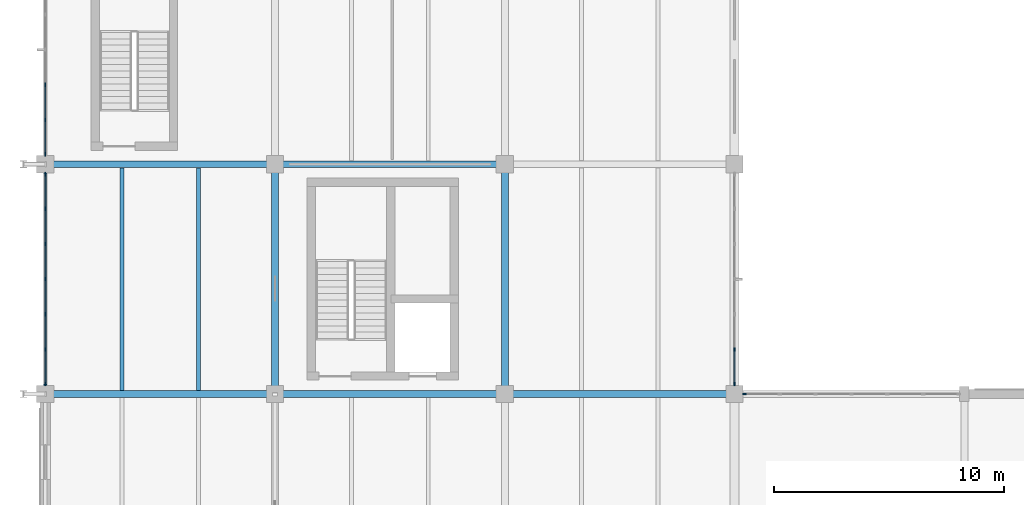
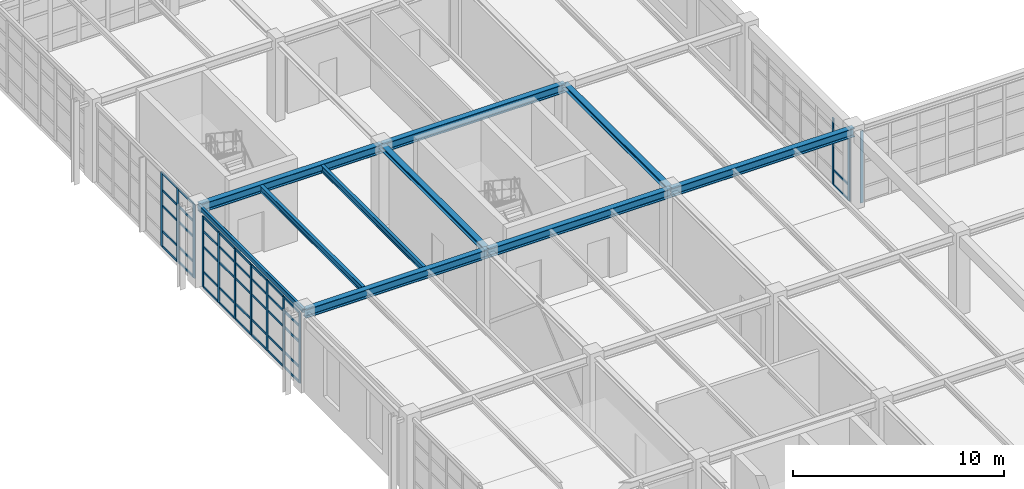
# One storey, part 33 of 139: 55 members, 10 beams, 4 elements without a shape of their own.
"""IFC4 building model written with IfcOpenShell, lengths in metres."""

from ifc_helpers import new_model, si_unit, direction, frame, origin, origin_2d, place, context, subcontext, project, spatial, rectangle, hollow_rectangle, i_section, extrude, material, layer, layer_set, material_profile, profile_set, type_object, element, aggregate, save


model = new_model("IFC4")

# Units and contexts
model_context = context("Model", 3, precision=1e-05, world=origin(), true_north=direction((0.0, 1.0)))
body_context = subcontext(model_context, "Body", "Model", "MODEL_VIEW")
ifc_project = project(units=[si_unit("LENGTHUNIT", "METRE"), si_unit("AREAUNIT", "SQUARE_METRE"), si_unit("VOLUMEUNIT", "CUBIC_METRE"), si_unit("PLANEANGLEUNIT", "RADIAN"), si_unit("MASSUNIT", "GRAM", prefix="KILO"), si_unit("THERMODYNAMICTEMPERATUREUNIT", "KELVIN"), si_unit("POWERUNIT", "WATT")], contexts=[model_context])

# Site, building, storey
site_placement = place(None, origin())
site = spatial("IfcSite", under=ifc_project, at=site_placement, CompositionType="ELEMENT")
building_placement = place(site_placement, origin())
building = spatial("IfcBuilding", under=site, at=building_placement, Name="Korenveer Ferry Terminal", CompositionType="ELEMENT")
storey_placement = place(building_placement, frame((0.0, 0.0, 5.39990234375)))
storey = spatial("IfcBuildingStorey", under=building, at=storey_placement, Name="L01", CompositionType="ELEMENT", Elevation=5.39990234375)

# Curtain wall, member
ifc_material_1 = material(Name="Unitised bronze-and-glass curtain wall", Category="glass")
ifc_layer_1 = layer(ifc_material_1, 0.159912109375)
ifc_layer_set_1 = layer_set([ifc_layer_1], Name="Unitised bronze-and-glass curtain wall")
curtain_wall_type_1 = type_object("IfcCurtainWallType", Name="ENV-CW-43", PredefinedType="USERDEFINED", material=ifc_layer_set_1)
curtain_wall_1_placement = place(storey_placement, frame((30.405029296875, 50.0, 0.0)))
curtain_wall_1 = element("IfcCurtainWall", 1, at=curtain_wall_1_placement, inside=storey, type_object=curtain_wall_type_1, Name="Lancet curtain wall CWX-L01-X30-40-Y50-50", ObjectType="UNITISED CURTAIN WALL", PredefinedType="USERDEFINED")
ifc_material_2 = material(Name="Anodised bronze aluminium", Category="aluminium")
ifc_material_profile_1 = material_profile(ifc_material_2, rectangle(XDim=0.06005859375, YDim=0.159912109375, at=origin_2d()), Name="ALU 60x160")
ifc_profile_set_1 = profile_set([ifc_material_profile_1], Name="Anodised bronze aluminium")
member_type_1 = type_object("IfcMemberType", Name="ENV-CWM-60X160", PredefinedType="MULLION", material=ifc_profile_set_1)
member_1_placement = place(storey_placement, frame((30.43505859375, 50.0, 0.0), z_axis=(0.0, 0.0, 1.0), x_axis=(0.0, 1.0, 0.0)))
member_1 = element("IfcMember", 2, at=member_1_placement, type_object=member_type_1, Name="CW-43 mullion 1", PredefinedType="MULLION", context=body_context, shape_type="SweptSolid", body=[
    extrude(rectangle(XDim=0.06005859375, YDim=0.159912109375, at=origin_2d()), origin(), (0.0, 0.0, 1.0), 4.16015625),
])
aggregate(curtain_wall_1, [member_1])

# Curtain wall, members
ifc_layer_2 = layer(ifc_material_1, 0.159912109375)
ifc_layer_set_2 = layer_set([ifc_layer_2], Name="Unitised bronze-and-glass curtain wall")
curtain_wall_type_2 = type_object("IfcCurtainWallType", Name="ENV-CW-58", PredefinedType="USERDEFINED", material=ifc_layer_set_2)
curtain_wall_2_placement = place(storey_placement, frame((0.0, 50.405029296875, 0.0)))
curtain_wall_2 = element("IfcCurtainWall", 3, at=curtain_wall_2_placement, inside=storey, type_object=curtain_wall_type_2, Name="Lancet curtain wall CWX-L01-X0-0-Y50-60", ObjectType="UNITISED CURTAIN WALL", PredefinedType="USERDEFINED")
member_2_placement = place(storey_placement, frame((0.0, 50.43505859375, 0.0), z_axis=(0.0, 0.0, 1.0), x_axis=(-1.0, 0.0, 0.0)))
member_2 = element("IfcMember", 4, at=member_2_placement, type_object=member_type_1, Name="CW-58 mullion 1", PredefinedType="MULLION", context=body_context, shape_type="SweptSolid", body=[
    extrude(rectangle(XDim=0.06005859375, YDim=0.159912109375, at=origin_2d()), origin(), (0.0, 0.0, 1.0), 4.070068359375),
])
member_3_placement = place(storey_placement, frame((0.0, 51.936767578125, 0.0), z_axis=(0.0, 0.0, 1.0), x_axis=(-1.0, 0.0, 0.0)))
member_3 = element("IfcMember", 5, at=member_3_placement, type_object=member_type_1, Name="CW-58 mullion 2", PredefinedType="MULLION", context=body_context, shape_type="SweptSolid", body=[
    extrude(rectangle(XDim=0.06005859375, YDim=0.159912109375, at=origin_2d()), origin(), (0.0, 0.0, 1.0), 4.070068359375),
])
member_4_placement = place(storey_placement, frame((0.0, 53.46826171875, 0.0), z_axis=(0.0, 0.0, 1.0), x_axis=(-1.0, 0.0, 0.0)))
member_4 = element("IfcMember", 6, at=member_4_placement, type_object=member_type_1, Name="CW-58 mullion 3", PredefinedType="MULLION", context=body_context, shape_type="SweptSolid", body=[
    extrude(rectangle(XDim=0.06005859375, YDim=0.159912109375, at=origin_2d()), origin(), (0.0, 0.0, 1.0), 4.070068359375),
])
member_5_placement = place(storey_placement, frame((0.0, 55.0, 0.0), z_axis=(0.0, 0.0, 1.0), x_axis=(-1.0, 0.0, 0.0)))
member_5 = element("IfcMember", 7, at=member_5_placement, type_object=member_type_1, Name="CW-58 mullion 4", PredefinedType="MULLION", context=body_context, shape_type="SweptSolid", body=[
    extrude(rectangle(XDim=0.06005859375, YDim=0.159912109375, at=origin_2d()), origin(), (0.0, 0.0, 1.0), 4.070068359375),
])
member_6_placement = place(storey_placement, frame((0.0, 56.53173828125, 0.0), z_axis=(0.0, 0.0, 1.0), x_axis=(-1.0, 0.0, 0.0)))
member_6 = element("IfcMember", 8, at=member_6_placement, type_object=member_type_1, Name="CW-58 mullion 5", PredefinedType="MULLION", context=body_context, shape_type="SweptSolid", body=[
    extrude(rectangle(XDim=0.06005859375, YDim=0.159912109375, at=origin_2d()), origin(), (0.0, 0.0, 1.0), 4.070068359375),
])
member_7_placement = place(storey_placement, frame((0.0, 58.063232421875, 0.0), z_axis=(0.0, 0.0, 1.0), x_axis=(-1.0, 0.0, 0.0)))
member_7 = element("IfcMember", 9, at=member_7_placement, type_object=member_type_1, Name="CW-58 mullion 6", PredefinedType="MULLION", context=body_context, shape_type="SweptSolid", body=[
    extrude(rectangle(XDim=0.06005859375, YDim=0.159912109375, at=origin_2d()), origin(), (0.0, 0.0, 1.0), 4.070068359375),
])
member_8_placement = place(storey_placement, frame((0.0, 59.56494140625, 0.0), z_axis=(0.0, 0.0, 1.0), x_axis=(-1.0, 0.0, 0.0)))
member_8 = element("IfcMember", 10, at=member_8_placement, type_object=member_type_1, Name="CW-58 mullion 7", PredefinedType="MULLION", context=body_context, shape_type="SweptSolid", body=[
    extrude(rectangle(XDim=0.06005859375, YDim=0.159912109375, at=origin_2d()), origin(), (0.0, 0.0, 1.0), 4.070068359375),
])

ifc_layer_3 = layer(ifc_material_1, 0.159912109375)
ifc_layer_set_3 = layer_set([ifc_layer_3], Name="Unitised bronze-and-glass curtain wall")
curtain_wall_type_3 = type_object("IfcCurtainWallType", Name="ENV-CW-60", PredefinedType="USERDEFINED", material=ifc_layer_set_3)
curtain_wall_3_placement = place(storey_placement, frame((0.0, 60.405029296875, 0.0)))
curtain_wall_3 = element("IfcCurtainWall", 11, at=curtain_wall_3_placement, inside=storey, type_object=curtain_wall_type_3, Name="Lancet curtain wall CWX-L01-X0-0-Y60-70", ObjectType="UNITISED CURTAIN WALL", PredefinedType="USERDEFINED")
member_9_placement = place(storey_placement, frame((0.0, 60.43505859375, 0.0), z_axis=(0.0, 0.0, 1.0), x_axis=(-1.0, 0.0, 0.0)))
member_9 = element("IfcMember", 12, at=member_9_placement, type_object=member_type_1, Name="CW-60 mullion 1", PredefinedType="MULLION", context=body_context, shape_type="SweptSolid", body=[
    extrude(rectangle(XDim=0.06005859375, YDim=0.159912109375, at=origin_2d()), origin(), (0.0, 0.0, 1.0), 4.27001953125),
])
member_10_placement = place(storey_placement, frame((0.0, 61.9326171875, 0.0), z_axis=(0.0, 0.0, 1.0), x_axis=(-1.0, 0.0, 0.0)))
member_10 = element("IfcMember", 13, at=member_10_placement, type_object=member_type_1, Name="CW-60 mullion 2", PredefinedType="MULLION", context=body_context, shape_type="SweptSolid", body=[
    extrude(rectangle(XDim=0.06005859375, YDim=0.159912109375, at=origin_2d()), origin(), (0.0, 0.0, 1.0), 4.27001953125),
])
member_11_placement = place(storey_placement, frame((0.0, 63.4599609375, 0.0), z_axis=(0.0, 0.0, 1.0), x_axis=(-1.0, 0.0, 0.0)))
member_11 = element("IfcMember", 14, at=member_11_placement, type_object=member_type_1, Name="CW-60 mullion 3", PredefinedType="MULLION", context=body_context, shape_type="SweptSolid", body=[
    extrude(rectangle(XDim=0.06005859375, YDim=0.159912109375, at=origin_2d()), origin(), (0.0, 0.0, 1.0), 4.27001953125),
])

ifc_layer_4 = layer(ifc_material_1, 0.159912109375)
ifc_layer_set_4 = layer_set([ifc_layer_4], Name="Unitised bronze-and-glass curtain wall")
curtain_wall_type_4 = type_object("IfcCurtainWallType", Name="ENV-CW-63", PredefinedType="USERDEFINED", material=ifc_layer_set_4)
curtain_wall_4_placement = place(storey_placement, frame((30.0, 59.594970703125, 0.0)))
curtain_wall_4 = element("IfcCurtainWall", 15, at=curtain_wall_4_placement, inside=storey, type_object=curtain_wall_type_4, Name="Lancet curtain wall CWX-L01-X30-30-Y50-60", ObjectType="UNITISED CURTAIN WALL", PredefinedType="USERDEFINED")
member_12_placement = place(storey_placement, frame((30.0, 51.936767578125, 0.0), z_axis=(0.0, 0.0, 1.0), x_axis=(1.0, 0.0, 0.0)))
member_12 = element("IfcMember", 16, at=member_12_placement, type_object=member_type_1, Name="CW-63 mullion 6", PredefinedType="MULLION", context=body_context, shape_type="SweptSolid", body=[
    extrude(rectangle(XDim=0.06005859375, YDim=0.159912109375, at=origin_2d()), origin(), (0.0, 0.0, 1.0), 3.8701171875),
])
member_13_placement = place(storey_placement, frame((30.0, 50.43505859375, 0.0), z_axis=(0.0, 0.0, 1.0), x_axis=(1.0, 0.0, 0.0)))
member_13 = element("IfcMember", 17, at=member_13_placement, type_object=member_type_1, Name="CW-63 mullion 7", PredefinedType="MULLION", context=body_context, shape_type="SweptSolid", body=[
    extrude(rectangle(XDim=0.06005859375, YDim=0.159912109375, at=origin_2d()), origin(), (0.0, 0.0, 1.0), 3.8701171875),
])

# Member
ifc_material_profile_2 = material_profile(ifc_material_2, rectangle(XDim=0.06005859375, YDim=0.1201171875, at=origin_2d()), Name="ALU 60x120")
ifc_profile_set_2 = profile_set([ifc_material_profile_2], Name="Anodised bronze aluminium")
member_type_2 = type_object("IfcMemberType", Name="ENV-CWT-60X120", PredefinedType="USERDEFINED", material=ifc_profile_set_2)
member_14_placement = place(storey_placement, frame((0.0, 50.465087890625, 0.030029296875), z_axis=(0.0, 1.0, 0.0), x_axis=(-1.0, 0.0, 0.0)))
member_14 = element("IfcMember", 18, at=member_14_placement, type_object=member_type_2, Name="CW-58 transom 1.1", ObjectType="TRANSOM", PredefinedType="USERDEFINED", context=body_context, shape_type="SweptSolid", body=[
    extrude(rectangle(XDim=0.06005859375, YDim=0.1201171875, at=origin_2d()), origin(), (0.0, 0.0, 1.0), 1.441650390625),
])

member_15_placement = place(storey_placement, frame((0.0, 50.465087890625, 0.900146484375), z_axis=(0.0, 1.0, 0.0), x_axis=(-1.0, 0.0, 0.0)))
member_15 = element("IfcMember", 19, at=member_15_placement, type_object=member_type_2, Name="CW-58 transom 1.2", ObjectType="TRANSOM", PredefinedType="USERDEFINED", context=body_context, shape_type="SweptSolid", body=[
    extrude(rectangle(XDim=0.06005859375, YDim=0.1201171875, at=origin_2d()), origin(), (0.0, 0.0, 1.0), 1.441650390625),
])

member_16_placement = place(storey_placement, frame((0.0, 50.465087890625, 2.35009765625), z_axis=(0.0, 1.0, 0.0), x_axis=(-1.0, 0.0, 0.0)))
member_16 = element("IfcMember", 20, at=member_16_placement, type_object=member_type_2, Name="CW-58 transom 1.3", ObjectType="TRANSOM", PredefinedType="USERDEFINED", context=body_context, shape_type="SweptSolid", body=[
    extrude(rectangle(XDim=0.06005859375, YDim=0.1201171875, at=origin_2d()), origin(), (0.0, 0.0, 1.0), 1.441650390625),
])

member_17_placement = place(storey_placement, frame((0.0, 50.465087890625, 3.25), z_axis=(0.0, 1.0, 0.0), x_axis=(-1.0, 0.0, 0.0)))
member_17 = element("IfcMember", 21, at=member_17_placement, type_object=member_type_2, Name="CW-58 transom 1.4", ObjectType="TRANSOM", PredefinedType="USERDEFINED", context=body_context, shape_type="SweptSolid", body=[
    extrude(rectangle(XDim=0.06005859375, YDim=0.1201171875, at=origin_2d()), origin(), (0.0, 0.0, 1.0), 1.441650390625),
])

member_18_placement = place(storey_placement, frame((0.0, 50.465087890625, 4.0400390625), z_axis=(0.0, 1.0, 0.0), x_axis=(-1.0, 0.0, 0.0)))
member_18 = element("IfcMember", 22, at=member_18_placement, type_object=member_type_2, Name="CW-58 transom 1.5", ObjectType="TRANSOM", PredefinedType="USERDEFINED", context=body_context, shape_type="SweptSolid", body=[
    extrude(rectangle(XDim=0.06005859375, YDim=0.1201171875, at=origin_2d()), origin(), (0.0, 0.0, 1.0), 1.441650390625),
])

member_19_placement = place(storey_placement, frame((0.0, 51.966552734375, 0.030029296875), z_axis=(0.0, 1.0, 0.0), x_axis=(-1.0, 0.0, 0.0)))
member_19 = element("IfcMember", 23, at=member_19_placement, type_object=member_type_2, Name="CW-58 transom 2.1", ObjectType="TRANSOM", PredefinedType="USERDEFINED", context=body_context, shape_type="SweptSolid", body=[
    extrude(rectangle(XDim=0.06005859375, YDim=0.1201171875, at=origin_2d()), origin(), (0.0, 0.0, 1.0), 1.4716796875),
])

member_20_placement = place(storey_placement, frame((0.0, 51.966552734375, 0.900146484375), z_axis=(0.0, 1.0, 0.0), x_axis=(-1.0, 0.0, 0.0)))
member_20 = element("IfcMember", 24, at=member_20_placement, type_object=member_type_2, Name="CW-58 transom 2.2", ObjectType="TRANSOM", PredefinedType="USERDEFINED", context=body_context, shape_type="SweptSolid", body=[
    extrude(rectangle(XDim=0.06005859375, YDim=0.1201171875, at=origin_2d()), origin(), (0.0, 0.0, 1.0), 1.4716796875),
])

member_21_placement = place(storey_placement, frame((0.0, 51.966552734375, 2.35009765625), z_axis=(0.0, 1.0, 0.0), x_axis=(-1.0, 0.0, 0.0)))
member_21 = element("IfcMember", 25, at=member_21_placement, type_object=member_type_2, Name="CW-58 transom 2.3", ObjectType="TRANSOM", PredefinedType="USERDEFINED", context=body_context, shape_type="SweptSolid", body=[
    extrude(rectangle(XDim=0.06005859375, YDim=0.1201171875, at=origin_2d()), origin(), (0.0, 0.0, 1.0), 1.4716796875),
])

member_22_placement = place(storey_placement, frame((0.0, 51.966552734375, 3.25), z_axis=(0.0, 1.0, 0.0), x_axis=(-1.0, 0.0, 0.0)))
member_22 = element("IfcMember", 26, at=member_22_placement, type_object=member_type_2, Name="CW-58 transom 2.4", ObjectType="TRANSOM", PredefinedType="USERDEFINED", context=body_context, shape_type="SweptSolid", body=[
    extrude(rectangle(XDim=0.06005859375, YDim=0.1201171875, at=origin_2d()), origin(), (0.0, 0.0, 1.0), 1.4716796875),
])

member_23_placement = place(storey_placement, frame((0.0, 51.966552734375, 4.0400390625), z_axis=(0.0, 1.0, 0.0), x_axis=(-1.0, 0.0, 0.0)))
member_23 = element("IfcMember", 27, at=member_23_placement, type_object=member_type_2, Name="CW-58 transom 2.5", ObjectType="TRANSOM", PredefinedType="USERDEFINED", context=body_context, shape_type="SweptSolid", body=[
    extrude(rectangle(XDim=0.06005859375, YDim=0.1201171875, at=origin_2d()), origin(), (0.0, 0.0, 1.0), 1.4716796875),
])

member_24_placement = place(storey_placement, frame((0.0, 53.498291015625, 0.030029296875), z_axis=(0.0, 1.0, 0.0), x_axis=(-1.0, 0.0, 0.0)))
member_24 = element("IfcMember", 28, at=member_24_placement, type_object=member_type_2, Name="CW-58 transom 3.1", ObjectType="TRANSOM", PredefinedType="USERDEFINED", context=body_context, shape_type="SweptSolid", body=[
    extrude(rectangle(XDim=0.06005859375, YDim=0.1201171875, at=origin_2d()), origin(), (0.0, 0.0, 1.0), 1.4716796875),
])

member_25_placement = place(storey_placement, frame((0.0, 53.498291015625, 0.900146484375), z_axis=(0.0, 1.0, 0.0), x_axis=(-1.0, 0.0, 0.0)))
member_25 = element("IfcMember", 29, at=member_25_placement, type_object=member_type_2, Name="CW-58 transom 3.2", ObjectType="TRANSOM", PredefinedType="USERDEFINED", context=body_context, shape_type="SweptSolid", body=[
    extrude(rectangle(XDim=0.06005859375, YDim=0.1201171875, at=origin_2d()), origin(), (0.0, 0.0, 1.0), 1.4716796875),
])

member_26_placement = place(storey_placement, frame((0.0, 53.498291015625, 2.35009765625), z_axis=(0.0, 1.0, 0.0), x_axis=(-1.0, 0.0, 0.0)))
member_26 = element("IfcMember", 30, at=member_26_placement, type_object=member_type_2, Name="CW-58 transom 3.3", ObjectType="TRANSOM", PredefinedType="USERDEFINED", context=body_context, shape_type="SweptSolid", body=[
    extrude(rectangle(XDim=0.06005859375, YDim=0.1201171875, at=origin_2d()), origin(), (0.0, 0.0, 1.0), 1.4716796875),
])

member_27_placement = place(storey_placement, frame((0.0, 53.498291015625, 3.25), z_axis=(0.0, 1.0, 0.0), x_axis=(-1.0, 0.0, 0.0)))
member_27 = element("IfcMember", 31, at=member_27_placement, type_object=member_type_2, Name="CW-58 transom 3.4", ObjectType="TRANSOM", PredefinedType="USERDEFINED", context=body_context, shape_type="SweptSolid", body=[
    extrude(rectangle(XDim=0.06005859375, YDim=0.1201171875, at=origin_2d()), origin(), (0.0, 0.0, 1.0), 1.4716796875),
])

member_28_placement = place(storey_placement, frame((0.0, 53.498291015625, 4.0400390625), z_axis=(0.0, 1.0, 0.0), x_axis=(-1.0, 0.0, 0.0)))
member_28 = element("IfcMember", 32, at=member_28_placement, type_object=member_type_2, Name="CW-58 transom 3.5", ObjectType="TRANSOM", PredefinedType="USERDEFINED", context=body_context, shape_type="SweptSolid", body=[
    extrude(rectangle(XDim=0.06005859375, YDim=0.1201171875, at=origin_2d()), origin(), (0.0, 0.0, 1.0), 1.4716796875),
])

member_29_placement = place(storey_placement, frame((0.0, 55.030029296875, 0.030029296875), z_axis=(0.0, 1.0, 0.0), x_axis=(-1.0, 0.0, 0.0)))
member_29 = element("IfcMember", 33, at=member_29_placement, type_object=member_type_2, Name="CW-58 transom 4.1", ObjectType="TRANSOM", PredefinedType="USERDEFINED", context=body_context, shape_type="SweptSolid", body=[
    extrude(rectangle(XDim=0.06005859375, YDim=0.1201171875, at=origin_2d()), origin(), (0.0, 0.0, 1.0), 1.4716796875),
])

member_30_placement = place(storey_placement, frame((0.0, 55.030029296875, 0.900146484375), z_axis=(0.0, 1.0, 0.0), x_axis=(-1.0, 0.0, 0.0)))
member_30 = element("IfcMember", 34, at=member_30_placement, type_object=member_type_2, Name="CW-58 transom 4.2", ObjectType="TRANSOM", PredefinedType="USERDEFINED", context=body_context, shape_type="SweptSolid", body=[
    extrude(rectangle(XDim=0.06005859375, YDim=0.1201171875, at=origin_2d()), origin(), (0.0, 0.0, 1.0), 1.4716796875),
])

member_31_placement = place(storey_placement, frame((0.0, 55.030029296875, 2.35009765625), z_axis=(0.0, 1.0, 0.0), x_axis=(-1.0, 0.0, 0.0)))
member_31 = element("IfcMember", 35, at=member_31_placement, type_object=member_type_2, Name="CW-58 transom 4.3", ObjectType="TRANSOM", PredefinedType="USERDEFINED", context=body_context, shape_type="SweptSolid", body=[
    extrude(rectangle(XDim=0.06005859375, YDim=0.1201171875, at=origin_2d()), origin(), (0.0, 0.0, 1.0), 1.4716796875),
])

member_32_placement = place(storey_placement, frame((0.0, 55.030029296875, 3.25), z_axis=(0.0, 1.0, 0.0), x_axis=(-1.0, 0.0, 0.0)))
member_32 = element("IfcMember", 36, at=member_32_placement, type_object=member_type_2, Name="CW-58 transom 4.4", ObjectType="TRANSOM", PredefinedType="USERDEFINED", context=body_context, shape_type="SweptSolid", body=[
    extrude(rectangle(XDim=0.06005859375, YDim=0.1201171875, at=origin_2d()), origin(), (0.0, 0.0, 1.0), 1.4716796875),
])

member_33_placement = place(storey_placement, frame((0.0, 55.030029296875, 4.0400390625), z_axis=(0.0, 1.0, 0.0), x_axis=(-1.0, 0.0, 0.0)))
member_33 = element("IfcMember", 37, at=member_33_placement, type_object=member_type_2, Name="CW-58 transom 4.5", ObjectType="TRANSOM", PredefinedType="USERDEFINED", context=body_context, shape_type="SweptSolid", body=[
    extrude(rectangle(XDim=0.06005859375, YDim=0.1201171875, at=origin_2d()), origin(), (0.0, 0.0, 1.0), 1.4716796875),
])

member_34_placement = place(storey_placement, frame((0.0, 56.561767578125, 0.030029296875), z_axis=(0.0, 1.0, 0.0), x_axis=(-1.0, 0.0, 0.0)))
member_34 = element("IfcMember", 38, at=member_34_placement, type_object=member_type_2, Name="CW-58 transom 5.1", ObjectType="TRANSOM", PredefinedType="USERDEFINED", context=body_context, shape_type="SweptSolid", body=[
    extrude(rectangle(XDim=0.06005859375, YDim=0.1201171875, at=origin_2d()), origin(), (0.0, 0.0, 1.0), 1.4716796875),
])

member_35_placement = place(storey_placement, frame((0.0, 56.561767578125, 0.900146484375), z_axis=(0.0, 1.0, 0.0), x_axis=(-1.0, 0.0, 0.0)))
member_35 = element("IfcMember", 39, at=member_35_placement, type_object=member_type_2, Name="CW-58 transom 5.2", ObjectType="TRANSOM", PredefinedType="USERDEFINED", context=body_context, shape_type="SweptSolid", body=[
    extrude(rectangle(XDim=0.06005859375, YDim=0.1201171875, at=origin_2d()), origin(), (0.0, 0.0, 1.0), 1.4716796875),
])

member_36_placement = place(storey_placement, frame((0.0, 56.561767578125, 2.35009765625), z_axis=(0.0, 1.0, 0.0), x_axis=(-1.0, 0.0, 0.0)))
member_36 = element("IfcMember", 40, at=member_36_placement, type_object=member_type_2, Name="CW-58 transom 5.3", ObjectType="TRANSOM", PredefinedType="USERDEFINED", context=body_context, shape_type="SweptSolid", body=[
    extrude(rectangle(XDim=0.06005859375, YDim=0.1201171875, at=origin_2d()), origin(), (0.0, 0.0, 1.0), 1.4716796875),
])

member_37_placement = place(storey_placement, frame((0.0, 56.561767578125, 3.25), z_axis=(0.0, 1.0, 0.0), x_axis=(-1.0, 0.0, 0.0)))
member_37 = element("IfcMember", 41, at=member_37_placement, type_object=member_type_2, Name="CW-58 transom 5.4", ObjectType="TRANSOM", PredefinedType="USERDEFINED", context=body_context, shape_type="SweptSolid", body=[
    extrude(rectangle(XDim=0.06005859375, YDim=0.1201171875, at=origin_2d()), origin(), (0.0, 0.0, 1.0), 1.4716796875),
])

member_38_placement = place(storey_placement, frame((0.0, 56.561767578125, 4.0400390625), z_axis=(0.0, 1.0, 0.0), x_axis=(-1.0, 0.0, 0.0)))
member_38 = element("IfcMember", 42, at=member_38_placement, type_object=member_type_2, Name="CW-58 transom 5.5", ObjectType="TRANSOM", PredefinedType="USERDEFINED", context=body_context, shape_type="SweptSolid", body=[
    extrude(rectangle(XDim=0.06005859375, YDim=0.1201171875, at=origin_2d()), origin(), (0.0, 0.0, 1.0), 1.4716796875),
])

member_39_placement = place(storey_placement, frame((0.0, 58.09326171875, 0.030029296875), z_axis=(0.0, 1.0, 0.0), x_axis=(-1.0, 0.0, 0.0)))
member_39 = element("IfcMember", 43, at=member_39_placement, type_object=member_type_2, Name="CW-58 transom 6.1", ObjectType="TRANSOM", PredefinedType="USERDEFINED", context=body_context, shape_type="SweptSolid", body=[
    extrude(rectangle(XDim=0.06005859375, YDim=0.1201171875, at=origin_2d()), origin(), (0.0, 0.0, 1.0), 1.441650390625),
])

member_40_placement = place(storey_placement, frame((0.0, 58.09326171875, 0.900146484375), z_axis=(0.0, 1.0, 0.0), x_axis=(-1.0, 0.0, 0.0)))
member_40 = element("IfcMember", 44, at=member_40_placement, type_object=member_type_2, Name="CW-58 transom 6.2", ObjectType="TRANSOM", PredefinedType="USERDEFINED", context=body_context, shape_type="SweptSolid", body=[
    extrude(rectangle(XDim=0.06005859375, YDim=0.1201171875, at=origin_2d()), origin(), (0.0, 0.0, 1.0), 1.441650390625),
])

member_41_placement = place(storey_placement, frame((0.0, 58.09326171875, 2.35009765625), z_axis=(0.0, 1.0, 0.0), x_axis=(-1.0, 0.0, 0.0)))
member_41 = element("IfcMember", 45, at=member_41_placement, type_object=member_type_2, Name="CW-58 transom 6.3", ObjectType="TRANSOM", PredefinedType="USERDEFINED", context=body_context, shape_type="SweptSolid", body=[
    extrude(rectangle(XDim=0.06005859375, YDim=0.1201171875, at=origin_2d()), origin(), (0.0, 0.0, 1.0), 1.441650390625),
])

member_42_placement = place(storey_placement, frame((0.0, 58.09326171875, 3.25), z_axis=(0.0, 1.0, 0.0), x_axis=(-1.0, 0.0, 0.0)))
member_42 = element("IfcMember", 46, at=member_42_placement, type_object=member_type_2, Name="CW-58 transom 6.4", ObjectType="TRANSOM", PredefinedType="USERDEFINED", context=body_context, shape_type="SweptSolid", body=[
    extrude(rectangle(XDim=0.06005859375, YDim=0.1201171875, at=origin_2d()), origin(), (0.0, 0.0, 1.0), 1.441650390625),
])

member_43_placement = place(storey_placement, frame((0.0, 58.09326171875, 4.0400390625), z_axis=(0.0, 1.0, 0.0), x_axis=(-1.0, 0.0, 0.0)))
member_43 = element("IfcMember", 47, at=member_43_placement, type_object=member_type_2, Name="CW-58 transom 6.5", ObjectType="TRANSOM", PredefinedType="USERDEFINED", context=body_context, shape_type="SweptSolid", body=[
    extrude(rectangle(XDim=0.06005859375, YDim=0.1201171875, at=origin_2d()), origin(), (0.0, 0.0, 1.0), 1.441650390625),
])

aggregate(curtain_wall_2, [member_2, member_3, member_4, member_5, member_6, member_7, member_8, member_14, member_15, member_16, member_17, member_18, member_19, member_20, member_21, member_22, member_23, member_24, member_25, member_26, member_27, member_28, member_29, member_30, member_31, member_32, member_33, member_34, member_35, member_36, member_37, member_38, member_39, member_40, member_41, member_42, member_43])

member_44_placement = place(storey_placement, frame((0.0, 60.465087890625, 0.030029296875), z_axis=(0.0, 1.0, 0.0), x_axis=(-1.0, 0.0, 0.0)))
member_44 = element("IfcMember", 48, at=member_44_placement, type_object=member_type_2, Name="CW-60 transom 1.1", ObjectType="TRANSOM", PredefinedType="USERDEFINED", context=body_context, shape_type="SweptSolid", body=[
    extrude(rectangle(XDim=0.06005859375, YDim=0.1201171875, at=origin_2d()), origin(), (0.0, 0.0, 1.0), 1.4375),
])

member_45_placement = place(storey_placement, frame((0.0, 60.465087890625, 0.900146484375), z_axis=(0.0, 1.0, 0.0), x_axis=(-1.0, 0.0, 0.0)))
member_45 = element("IfcMember", 49, at=member_45_placement, type_object=member_type_2, Name="CW-60 transom 1.2", ObjectType="TRANSOM", PredefinedType="USERDEFINED", context=body_context, shape_type="SweptSolid", body=[
    extrude(rectangle(XDim=0.06005859375, YDim=0.1201171875, at=origin_2d()), origin(), (0.0, 0.0, 1.0), 1.4375),
])

member_46_placement = place(storey_placement, frame((0.0, 60.465087890625, 2.35009765625), z_axis=(0.0, 1.0, 0.0), x_axis=(-1.0, 0.0, 0.0)))
member_46 = element("IfcMember", 50, at=member_46_placement, type_object=member_type_2, Name="CW-60 transom 1.3", ObjectType="TRANSOM", PredefinedType="USERDEFINED", context=body_context, shape_type="SweptSolid", body=[
    extrude(rectangle(XDim=0.06005859375, YDim=0.1201171875, at=origin_2d()), origin(), (0.0, 0.0, 1.0), 1.4375),
])

member_47_placement = place(storey_placement, frame((0.0, 60.465087890625, 3.25), z_axis=(0.0, 1.0, 0.0), x_axis=(-1.0, 0.0, 0.0)))
member_47 = element("IfcMember", 51, at=member_47_placement, type_object=member_type_2, Name="CW-60 transom 1.4", ObjectType="TRANSOM", PredefinedType="USERDEFINED", context=body_context, shape_type="SweptSolid", body=[
    extrude(rectangle(XDim=0.06005859375, YDim=0.1201171875, at=origin_2d()), origin(), (0.0, 0.0, 1.0), 1.4375),
])

member_48_placement = place(storey_placement, frame((0.0, 60.465087890625, 4.239990234375), z_axis=(0.0, 1.0, 0.0), x_axis=(-1.0, 0.0, 0.0)))
member_48 = element("IfcMember", 52, at=member_48_placement, type_object=member_type_2, Name="CW-60 transom 1.5", ObjectType="TRANSOM", PredefinedType="USERDEFINED", context=body_context, shape_type="SweptSolid", body=[
    extrude(rectangle(XDim=0.06005859375, YDim=0.1201171875, at=origin_2d()), origin(), (0.0, 0.0, 1.0), 1.4375),
])

member_49_placement = place(storey_placement, frame((0.0, 61.96240234375, 0.030029296875), z_axis=(0.0, 1.0, 0.0), x_axis=(-1.0, 0.0, 0.0)))
member_49 = element("IfcMember", 53, at=member_49_placement, type_object=member_type_2, Name="CW-60 transom 2.1", ObjectType="TRANSOM", PredefinedType="USERDEFINED", context=body_context, shape_type="SweptSolid", body=[
    extrude(rectangle(XDim=0.06005859375, YDim=0.1201171875, at=origin_2d()), origin(), (0.0, 0.0, 1.0), 1.467529296875),
])

member_50_placement = place(storey_placement, frame((0.0, 61.96240234375, 0.900146484375), z_axis=(0.0, 1.0, 0.0), x_axis=(-1.0, 0.0, 0.0)))
member_50 = element("IfcMember", 54, at=member_50_placement, type_object=member_type_2, Name="CW-60 transom 2.2", ObjectType="TRANSOM", PredefinedType="USERDEFINED", context=body_context, shape_type="SweptSolid", body=[
    extrude(rectangle(XDim=0.06005859375, YDim=0.1201171875, at=origin_2d()), origin(), (0.0, 0.0, 1.0), 1.467529296875),
])

member_51_placement = place(storey_placement, frame((0.0, 61.96240234375, 2.35009765625), z_axis=(0.0, 1.0, 0.0), x_axis=(-1.0, 0.0, 0.0)))
member_51 = element("IfcMember", 55, at=member_51_placement, type_object=member_type_2, Name="CW-60 transom 2.3", ObjectType="TRANSOM", PredefinedType="USERDEFINED", context=body_context, shape_type="SweptSolid", body=[
    extrude(rectangle(XDim=0.06005859375, YDim=0.1201171875, at=origin_2d()), origin(), (0.0, 0.0, 1.0), 1.467529296875),
])

member_52_placement = place(storey_placement, frame((0.0, 61.96240234375, 3.25), z_axis=(0.0, 1.0, 0.0), x_axis=(-1.0, 0.0, 0.0)))
member_52 = element("IfcMember", 56, at=member_52_placement, type_object=member_type_2, Name="CW-60 transom 2.4", ObjectType="TRANSOM", PredefinedType="USERDEFINED", context=body_context, shape_type="SweptSolid", body=[
    extrude(rectangle(XDim=0.06005859375, YDim=0.1201171875, at=origin_2d()), origin(), (0.0, 0.0, 1.0), 1.467529296875),
])

member_53_placement = place(storey_placement, frame((0.0, 61.96240234375, 4.239990234375), z_axis=(0.0, 1.0, 0.0), x_axis=(-1.0, 0.0, 0.0)))
member_53 = element("IfcMember", 57, at=member_53_placement, type_object=member_type_2, Name="CW-60 transom 2.5", ObjectType="TRANSOM", PredefinedType="USERDEFINED", context=body_context, shape_type="SweptSolid", body=[
    extrude(rectangle(XDim=0.06005859375, YDim=0.1201171875, at=origin_2d()), origin(), (0.0, 0.0, 1.0), 1.467529296875),
])

aggregate(curtain_wall_3, [member_9, member_10, member_11, member_44, member_45, member_46, member_47, member_48, member_49, member_50, member_51, member_52, member_53])

member_54_placement = place(storey_placement, frame((30.0, 51.90673828125, 0.030029296875), z_axis=(0.0, -1.0, 0.0), x_axis=(1.0, 0.0, 0.0)))
member_54 = element("IfcMember", 58, at=member_54_placement, type_object=member_type_2, Name="CW-63 transom 6.1", ObjectType="TRANSOM", PredefinedType="USERDEFINED", context=body_context, shape_type="SweptSolid", body=[
    extrude(rectangle(XDim=0.06005859375, YDim=0.1201171875, at=origin_2d()), origin(), (0.0, 0.0, 1.0), 1.441650390625),
])

member_55_placement = place(storey_placement, frame((30.0, 51.90673828125, 0.900146484375), z_axis=(0.0, -1.0, 0.0), x_axis=(1.0, 0.0, 0.0)))
member_55 = element("IfcMember", 59, at=member_55_placement, type_object=member_type_2, Name="CW-63 transom 6.2", ObjectType="TRANSOM", PredefinedType="USERDEFINED", context=body_context, shape_type="SweptSolid", body=[
    extrude(rectangle(XDim=0.06005859375, YDim=0.1201171875, at=origin_2d()), origin(), (0.0, 0.0, 1.0), 1.441650390625),
])

aggregate(curtain_wall_4, [member_12, member_13, member_54, member_55])

# Beams
ifc_material_3 = material(Name="Steel S355", Category="steel")
ifc_material_profile_3 = material_profile(ifc_material_3, i_section(OverallWidth=0.300048828125, OverallDepth=0.2900390625, WebThickness=0.008544921875, FlangeThickness=0.013916015625, FilletRadius=0.027099609375, at=origin_2d()), Name="HEA 300")
ifc_profile_set_3 = profile_set([ifc_material_profile_3], Name="Steel S355")
beam_type_1 = type_object("IfcBeamType", Name="STR-BM-HEA300", PredefinedType="BEAM", material=ifc_profile_set_3)
for number, where, z_axis, x_axis, name in (
    (60, (10.0, 50.02001953125, 4.405029296875), (0.0, 1.0, 0.0), (-1.0, 0.0, 0.0), "Primary Y girder BMY-L02-X10-Y50-60"),
    (61, (20.0, 50.02001953125, 4.405029296875), (0.0, 1.0, 0.0), (-1.0, 0.0, 0.0), "Primary Y girder BMY-L02-X20-Y50-60"),
):
    element("IfcBeam", number, at=place(storey_placement, frame(where, z_axis=z_axis, x_axis=x_axis)), inside=storey, type_object=beam_type_1, Name=name, PredefinedType="BEAM", context=body_context, shape_type="SweptSolid", body=[
        extrude(i_section(OverallWidth=0.300048828125, OverallDepth=0.2900390625, WebThickness=0.008544921875, FlangeThickness=0.013916015625, FilletRadius=0.027099609375, at=origin_2d()), origin(), (0.0, 0.0, 1.0), 9.9599609375),
    ])
ifc_material_profile_4 = material_profile(ifc_material_3, i_section(OverallWidth=0.300048828125, OverallDepth=0.5, WebThickness=0.014404296875, FlangeThickness=0.028076171875, FilletRadius=0.027099609375, at=origin_2d()), Name="HEB 500")
ifc_profile_set_4 = profile_set([ifc_material_profile_4], Name="Steel S355")
beam_type_2 = type_object("IfcBeamType", Name="STR-BM-HEB500", PredefinedType="BEAM", material=ifc_profile_set_4)
for number, where, z_axis, x_axis, name in (
    (62, (0.02001953125, 50.0, 4.300048828125), (1.0, 0.0, 0.0), (0.0, 1.0, 0.0), "Primary X girder BMX-L02-X0-10-Y50"),
    (63, (10.02001953125, 50.0, 4.300048828125), (1.0, 0.0, 0.0), (0.0, 1.0, 0.0), "Primary X girder BMX-L02-X10-20-Y50"),
    (64, (20.02001953125, 50.0, 4.300048828125), (1.0, 0.0, 0.0), (0.0, 1.0, 0.0), "Primary X girder BMX-L02-X20-30-Y50"),
    (65, (0.02001953125, 60.0, 4.300048828125), (1.0, 0.0, 0.0), (0.0, 1.0, 0.0), "Primary X girder BMX-L02-X0-10-Y60"),
    (66, (10.02001953125, 60.0, 4.300048828125), (1.0, 0.0, 0.0), (0.0, 1.0, 0.0), "Primary X girder BMX-L02-X10-20-Y60"),
):
    element("IfcBeam", number, at=place(storey_placement, frame(where, z_axis=z_axis, x_axis=x_axis)), inside=storey, type_object=beam_type_2, Name=name, PredefinedType="BEAM", context=body_context, shape_type="SweptSolid", body=[
        extrude(i_section(OverallWidth=0.300048828125, OverallDepth=0.5, WebThickness=0.014404296875, FlangeThickness=0.028076171875, FilletRadius=0.027099609375, at=origin_2d()), origin(), (0.0, 0.0, 1.0), 9.9599609375),
    ])
ifc_material_profile_5 = material_profile(ifc_material_3, i_section(OverallWidth=0.169921875, OverallDepth=0.360107421875, WebThickness=0.008056640625, FlangeThickness=0.0126953125, FilletRadius=0.01806640625, at=origin_2d()), Name="IPE 360")
ifc_profile_set_5 = profile_set([ifc_material_profile_5], Name="Steel S355")
beam_type_3 = type_object("IfcBeamType", Name="STR-JST-IPE360", PredefinedType="JOIST", material=ifc_profile_set_5)
for number, where, z_axis, x_axis, name in (
    (67, (3.333251953125, 50.159912109375, 4.3701171875), (0.0, 1.0, 0.0), (-1.0, 0.0, 0.0), "Secondary composite joist JST-L02-X33-Y50-60"),
    (68, (6.666748046875, 50.159912109375, 4.3701171875), (0.0, 1.0, 0.0), (-1.0, 0.0, 0.0), "Secondary composite joist JST-L02-X67-Y50-60"),
):
    element("IfcBeam", number, at=place(storey_placement, frame(where, z_axis=z_axis, x_axis=x_axis)), inside=storey, type_object=beam_type_3, Name=name, PredefinedType="JOIST", context=body_context, shape_type="SweptSolid", body=[
        extrude(i_section(OverallWidth=0.169921875, OverallDepth=0.360107421875, WebThickness=0.008056640625, FlangeThickness=0.0126953125, FilletRadius=0.01806640625, at=origin_2d()), origin(), (0.0, 0.0, 1.0), 9.68017578125),
    ])
ifc_material_profile_6 = material_profile(ifc_material_3, hollow_rectangle(XDim=0.14990234375, YDim=0.25, WallThickness=0.010009765625, InnerFilletRadius=0.010009765625, OuterFilletRadius=0.014892578125, at=origin_2d()), Name="RHS 250x150x10")
ifc_profile_set_6 = profile_set([ifc_material_profile_6], Name="Steel S355")
beam_type_4 = type_object("IfcBeamType", Name="STR-SPD-RHS250", PredefinedType="SPANDREL", material=ifc_profile_set_6)
beam_placement = place(storey_placement, frame((0.0, 50.02001953125, 4.425048828125), z_axis=(0.0, 1.0, 0.0), x_axis=(-1.0, 0.0, 0.0)))
element("IfcBeam", 69, at=beam_placement, inside=storey, type_object=beam_type_4, Name="Primary Y girder BMY-L02-X0-Y50-60", PredefinedType="SPANDREL", context=body_context, shape_type="SweptSolid", body=[
    extrude(hollow_rectangle(XDim=0.14990234375, YDim=0.25, WallThickness=0.010009765625, InnerFilletRadius=0.010009765625, OuterFilletRadius=0.014892578125, at=origin_2d()), origin(), (0.0, 0.0, 1.0), 9.9599609375),
])

save(model, "model.ifc")
